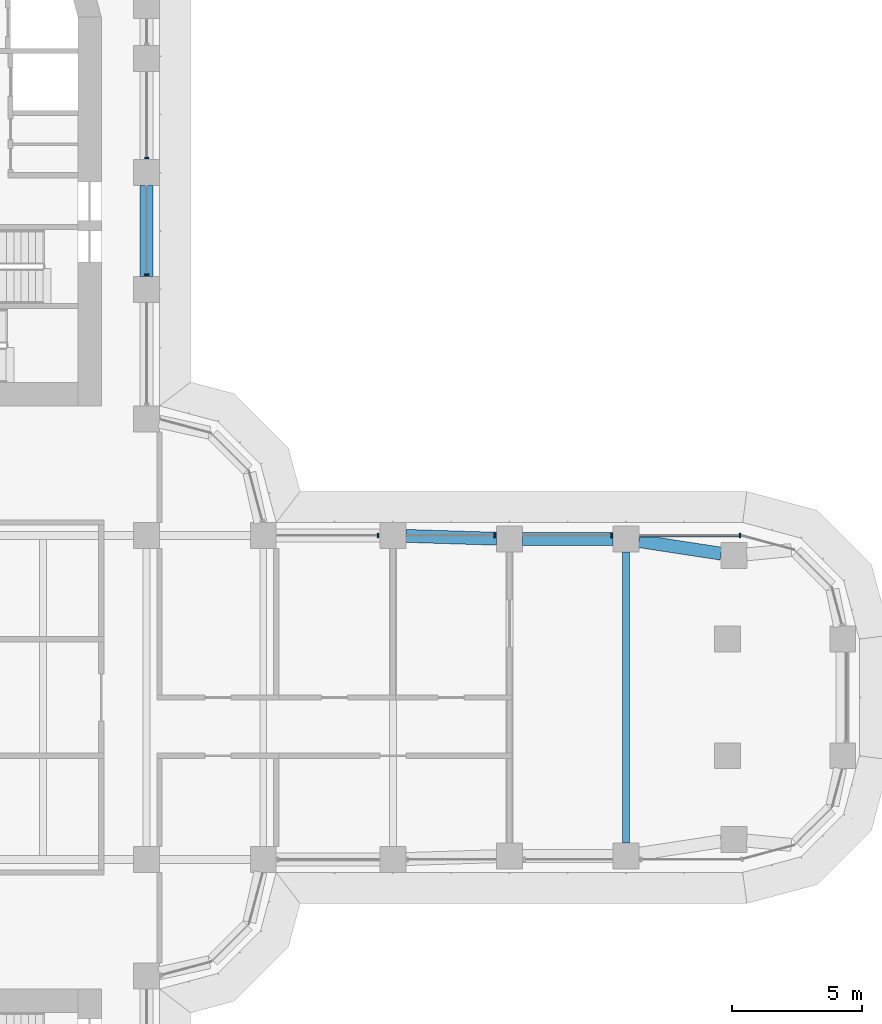
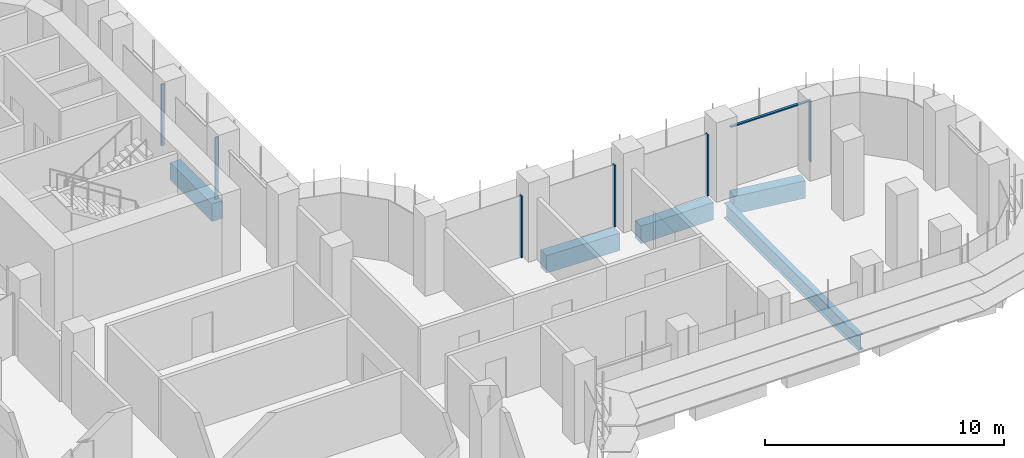
# One storey, part 9 of 23: 7 members, 5 beams, 2 elements without a shape of their own.
"""IFC4 building model written with IfcOpenShell, lengths in metres."""

from ifc_helpers import new_model, si_unit, direction, frame, origin, origin_2d, place, context, subcontext, project, spatial, polyline, rectangle, i_section, outline, extrude, source, transform, mapped, material, material_profile, profile_set, type_object, element, aggregate, save


model = new_model("IFC4")

# Units and contexts
model_context = context("Model", 3, precision=1e-05, world=origin(), true_north=direction((0.0, 1.0)))
body_context = subcontext(model_context, "Body", "Model", "MODEL_VIEW")
ifc_project = project(units=[si_unit("LENGTHUNIT", "METRE"), si_unit("AREAUNIT", "SQUARE_METRE"), si_unit("VOLUMEUNIT", "CUBIC_METRE"), si_unit("PLANEANGLEUNIT", "RADIAN"), si_unit("MASSUNIT", "GRAM", prefix="KILO")], contexts=[model_context])

# Site, building, storey
site_placement = place(None, origin())
site = spatial("IfcSite", under=ifc_project, at=site_placement, CompositionType="ELEMENT")
building_placement = place(site_placement, origin())
building = spatial("IfcBuilding", under=site, at=building_placement, Name="Zarbagh Exchange Tower", CompositionType="ELEMENT")
storey_placement = place(building_placement, frame((0.0, 0.0, 69.0)))
storey = spatial("IfcBuildingStorey", under=building, at=storey_placement, Name="L15", CompositionType="ELEMENT", Elevation=69.0)

# Beams
ifc_material_1 = material(Name="Steel ASTM A992 Gr 50", Category="steel")
ifc_material_profile_1 = material_profile(ifc_material_1, i_section(OverallWidth=0.2666015625, OverallDepth=0.76708984375, WebThickness=0.014892578125, FlangeThickness=0.023681640625, at=origin_2d()), Name="W30X124")
ifc_profile_set_1 = profile_set([ifc_material_profile_1], Name="Steel ASTM A992 Gr 50")
beam_type_1 = type_object("IfcBeamType", Name="Floor beam W30X124", PredefinedType="BEAM", material=ifc_profile_set_1)
beam_1_placement = place(storey_placement, frame((24.75, -5.610107421875, -0.533447265625), z_axis=(0.0, 1.0, 0.0), x_axis=(-1.0, 0.0, 0.0)))
element("IfcBeam", 1, at=beam_1_placement, inside=storey, type_object=beam_type_1, Name="Steel floor beam", PredefinedType="BEAM", context=body_context, shape_type="SweptSolid", body=[
    extrude(i_section(OverallWidth=0.2666015625, OverallDepth=0.76708984375, WebThickness=0.014892578125, FlangeThickness=0.023681640625, at=origin_2d()), origin(), (0.0, 0.0, 1.0), 11.22021484375),
])
ifc_material_2 = material(Name="Concrete C60/75", Category="concrete")
ifc_material_profile_2 = material_profile(ifc_material_2, rectangle(XDim=0.5, YDim=0.89990234375, at=origin_2d()), Name="RC spandrel beam 500 x 900 C60/75")
ifc_profile_set_2 = profile_set([ifc_material_profile_2], Name="Concrete C60/75")
beam_type_2 = type_object("IfcBeamType", Name="RC spandrel beam 500 x 900 C60/75", PredefinedType="SPANDREL", material=ifc_profile_set_2)
beam_2_placement = place(storey_placement, frame((6.25, 19.75, -0.60009765625), z_axis=(0.0, -1.0, 0.0), x_axis=(1.0, 0.0, 0.0)))
element("IfcBeam", 2, at=beam_2_placement, inside=storey, type_object=beam_type_2, Name="RC spandrel beam", PredefinedType="SPANDREL", context=body_context, shape_type="SweptSolid", body=[
    extrude(rectangle(XDim=0.5, YDim=0.89990234375, at=origin_2d()), origin(), (0.0, 0.0, 1.0), 3.5),
])
beam_3_placement = place(storey_placement, frame((16.249755859375, 6.234619140625, -0.60009765625), z_axis=(0.999514385708, -0.031160756759, 0.0), x_axis=(0.031160756759, 0.999514385708, 0.0)))
element("IfcBeam", 3, at=beam_3_placement, inside=storey, type_object=beam_type_2, Name="RC spandrel beam", PredefinedType="SPANDREL", context=body_context, shape_type="SweptSolid", body=[
    extrude(rectangle(XDim=0.5, YDim=0.89990234375, at=origin_2d()), origin(), (0.0, 0.0, 1.0), 3.502197265625),
])
beam_4_placement = place(storey_placement, frame((20.75, 6.110107421875, -0.60009765625), z_axis=(1.0, 0.0, 0.0), x_axis=(0.0, 1.0, 0.0)))
element("IfcBeam", 4, at=beam_4_placement, inside=storey, type_object=beam_type_2, Name="RC spandrel beam", PredefinedType="SPANDREL", context=body_context, shape_type="SweptSolid", body=[
    extrude(rectangle(XDim=0.5, YDim=0.89990234375, at=origin_2d()), origin(), (0.0, 0.0, 1.0), 3.5),
])
beam_5_placement = place(storey_placement, frame((25.244384765625, 6.034423828125, -0.60009765625), z_axis=(0.988545350976, -0.150924116903, 0.0), x_axis=(0.150924116903, 0.988545350976, 0.0)))
element("IfcBeam", 5, at=beam_5_placement, inside=storey, type_object=beam_type_2, Name="RC spandrel beam", PredefinedType="SPANDREL", context=body_context, shape_type="SweptSolid", body=[
    extrude(rectangle(XDim=0.5, YDim=0.89990234375, at=origin_2d()), origin(), (0.0, 0.0, 1.0), 3.2060546875),
])

# Curtain wall, members
ifc_material_3 = material(Name="Anodised aluminium frame and glazing", Category="aluminium")
curtain_wall_type = type_object("IfcCurtainWallType", Name="CWA Ribbon glazing, lower zones", PredefinedType="NOTDEFINED", material=ifc_material_3)
curtain_wall_1_placement = place(storey_placement, origin())
curtain_wall_1 = element("IfcCurtainWall", 6, at=curtain_wall_1_placement, inside=storey, type_object=curtain_wall_type, Name="CWA16 curtain wall", PredefinedType="NOTDEFINED")
ifc_material_4 = material(Name="Anodised aluminium frame", Category="aluminium")
member_type_1 = type_object("IfcMemberType", Name="MUA Mullion, anodised aluminium frame", PredefinedType="MULLION", material=ifc_material_4)
shared_shape_1 = source(origin(), body_context, "Body", "SweptSolid", [
    extrude(outline(polyline([(0.0, -0.080078125), (0.06005859375, -0.080078125), (0.06005859375, 0.080078125), (0.0, 0.080078125), (0.0, -0.080078125)])), origin(), (0.0, 0.0, 1.0), 3.14990234375),
])
placement = place(storey_placement, origin())
member_1 = element("IfcMember", 7, at=placement, type_object=member_type_1, Name="CWA16 mullion 1.1", PredefinedType="MULLION", context=body_context, shape_type="MappedRepresentation", body=[
    mapped(shared_shape_1, transform((29.18408203125, 6.25, 0.0), x_axis=(-1.0, 0.0, 0.0), y_axis=(0.0, -1.0, 0.0), z_axis=(0.0, 0.0, 1.0))),
])
member_2 = element("IfcMember", 8, at=placement, type_object=member_type_1, Name="CWA16 mullion 2.1", PredefinedType="MULLION", context=body_context, shape_type="MappedRepresentation", body=[
    mapped(shared_shape_1, transform((24.2099609375, 6.25, 0.0), x_axis=(-1.0, 0.0, 0.0), y_axis=(0.0, -1.0, 0.0), z_axis=(0.0, 0.0, 1.0))),
])
member_3 = element("IfcMember", 9, at=placement, type_object=member_type_1, Name="CWA16 mullion 3.1", PredefinedType="MULLION", context=body_context, shape_type="MappedRepresentation", body=[
    mapped(shared_shape_1, transform((19.7099609375, 6.25, 0.0), x_axis=(-1.0, 0.0, 0.0), y_axis=(0.0, -1.0, 0.0), z_axis=(0.0, 0.0, 1.0))),
])
member_4 = element("IfcMember", 10, at=placement, type_object=member_type_1, Name="CWA16 mullion 4.1", PredefinedType="MULLION", context=body_context, shape_type="MappedRepresentation", body=[
    mapped(shared_shape_1, transform((15.2099609375, 6.25, 0.0), x_axis=(-1.0, 0.0, 0.0), y_axis=(0.0, -1.0, 0.0), z_axis=(0.0, 0.0, 1.0))),
])

curtain_wall_2_placement = place(storey_placement, origin())
curtain_wall_2 = element("IfcCurtainWall", 11, at=curtain_wall_2_placement, inside=storey, type_object=curtain_wall_type, Name="CWA20 curtain wall", PredefinedType="NOTDEFINED")
member_5 = element("IfcMember", 12, at=placement, type_object=member_type_1, Name="CWA20 mullion 2.1", PredefinedType="MULLION", context=body_context, shape_type="MappedRepresentation", body=[
    mapped(shared_shape_1, transform((6.25, 16.2900390625, 0.0), x_axis=(0.0, 1.0, 0.0), y_axis=(-1.0, 0.0, 0.0), z_axis=(0.0, 0.0, 1.0))),
])
member_6 = element("IfcMember", 13, at=placement, type_object=member_type_1, Name="CWA20 mullion 3.1", PredefinedType="MULLION", context=body_context, shape_type="MappedRepresentation", body=[
    mapped(shared_shape_1, transform((6.25, 20.7900390625, 0.0), x_axis=(0.0, 1.0, 0.0), y_axis=(-1.0, 0.0, 0.0), z_axis=(0.0, 0.0, 1.0))),
])
aggregate(curtain_wall_2, [member_5, member_6])

# Member
member_type_2 = type_object("IfcMemberType", Name="TRA Transom, anodised aluminium frame", PredefinedType="USERDEFINED", material=ifc_material_4)
shared_shape_2 = source(origin(), body_context, "Body", "SweptSolid", [
    extrude(outline(polyline([(-0.06005859375, -0.06005859375), (0.0, -0.06005859375), (0.0, 0.06005859375), (-0.06005859375, 0.06005859375), (-0.06005859375, -0.06005859375)])), origin(), (0.0, 0.0, 1.0), 3.834228515625),
])
member_7 = element("IfcMember", 14, at=placement, type_object=member_type_2, Name="CWA16 transom 1.1", ObjectType="TRANSOM", PredefinedType="USERDEFINED", context=body_context, shape_type="MappedRepresentation", body=[
    mapped(shared_shape_2, transform((29.124267578125, 6.25, 3.14990234375), x_axis=(0.0, 0.0, 1.0), y_axis=(0.0, 1.0, 0.0), z_axis=(-1.0, 0.0, 0.0))),
])

aggregate(curtain_wall_1, [member_1, member_7, member_2, member_3, member_4])

save(model, "model.ifc")
